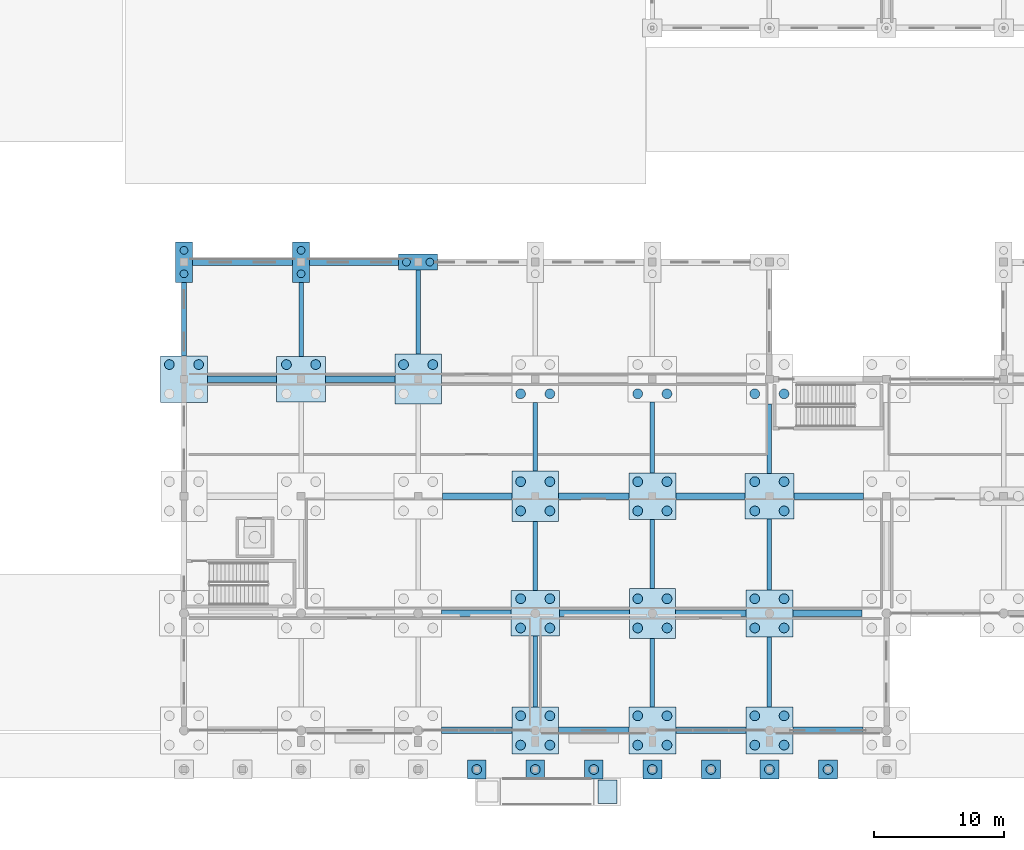
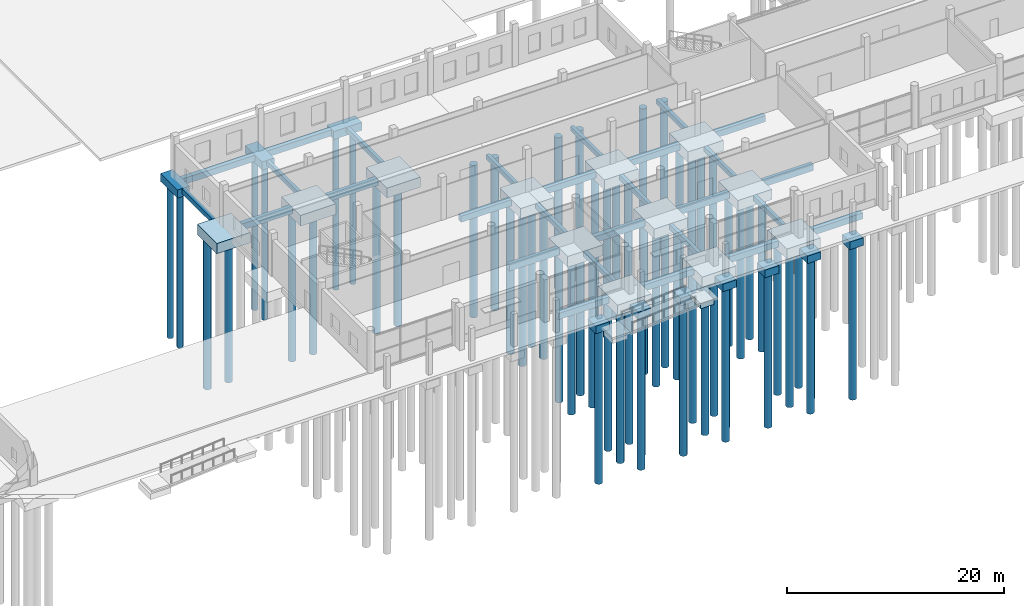
# One storey, part 11 of 112: 61 piles, 51 footings.
"""IFC4 building model written with IfcOpenShell, lengths in metres."""

from ifc_helpers import new_model, si_unit, direction, frame, origin, origin_2d, place, context, subcontext, project, spatial, polyline, rectangle, circle, outline, extrude, material, material_profile, profile_set, type_object, element, save


model = new_model("IFC4")

# Units and contexts
model_context = context("Model", 3, precision=1e-05, world=origin(), true_north=direction((0.0, 1.0)))
body_context = subcontext(model_context, "Body", "Model", "MODEL_VIEW")
ifc_project = project(units=[si_unit("LENGTHUNIT", "METRE"), si_unit("AREAUNIT", "SQUARE_METRE"), si_unit("VOLUMEUNIT", "CUBIC_METRE"), si_unit("PLANEANGLEUNIT", "RADIAN"), si_unit("MASSUNIT", "GRAM", prefix="KILO")], contexts=[model_context])

# Site, building, storey
site_placement = place(None, origin())
site = spatial("IfcSite", under=ifc_project, at=site_placement, CompositionType="ELEMENT")
building_placement = place(site_placement, origin())
building = spatial("IfcBuilding", under=site, at=building_placement, Name="Tharagai Park Tramway Depot", CompositionType="ELEMENT")
storey_placement = place(building_placement, origin())
storey = spatial("IfcBuildingStorey", under=building, at=storey_placement, Name="L00", CompositionType="ELEMENT", Elevation=0.0)

# Piles
ifc_material = material(Name="Concrete M40", Category="concrete")
ifc_material_profile_1 = material_profile(ifc_material, circle(Radius=0.375, at=origin_2d()), Name="PILE D750")
ifc_profile_set_1 = profile_set([ifc_material_profile_1], Name="Concrete M40")
pile_type_1 = type_object("IfcPileType", Name="BP-02", PredefinedType="BORED", material=ifc_profile_set_1)
for number, where, z_axis, x_axis, name in (
    (1, (133.875, 28.125, -1.35009765625), (0.0, 0.0, -1.0), (1.0, 0.0, 0.0), "Bored Pile BP-02 (135,27) #3"),
    (2, (136.125, 28.125, -1.35009765625), (0.0, 0.0, -1.0), (1.0, 0.0, 0.0), "Bored Pile BP-02 (135,27) #4"),
):
    element("IfcPile", number, at=place(storey_placement, frame(where, z_axis=z_axis, x_axis=x_axis)), inside=storey, type_object=pile_type_1, Name=name, PredefinedType="BORED", context=body_context, shape_type="SweptSolid", body=[
        extrude(circle(Radius=0.375, at=origin_2d()), origin(), (0.0, 0.0, 1.0), 17.14990234375),
    ])
for number, where, z_axis, x_axis, name in (
    (3, (142.875, 28.125, -1.39990234375), (0.0, 0.0, -1.0), (1.0, 0.0, 0.0), "Bored Pile BP-02 (144,27) #3"),
    (4, (145.125, 28.125, -1.39990234375), (0.0, 0.0, -1.0), (1.0, 0.0, 0.0), "Bored Pile BP-02 (144,27) #4"),
):
    element("IfcPile", number, at=place(storey_placement, frame(where, z_axis=z_axis, x_axis=x_axis)), inside=storey, type_object=pile_type_1, Name=name, PredefinedType="BORED", context=body_context, shape_type="SweptSolid", body=[
        extrude(circle(Radius=0.375, at=origin_2d()), origin(), (0.0, 0.0, 1.0), 17.10009765625),
    ])
for number, where, z_axis, x_axis, name in (
    (5, (151.875, 28.125, -1.320068359375), (0.0, 0.0, -1.0), (1.0, 0.0, 0.0), "Bored Pile BP-02 (153,27) #3"),
    (6, (154.125, 28.125, -1.320068359375), (0.0, 0.0, -1.0), (1.0, 0.0, 0.0), "Bored Pile BP-02 (153,27) #4"),
):
    element("IfcPile", number, at=place(storey_placement, frame(where, z_axis=z_axis, x_axis=x_axis)), inside=storey, type_object=pile_type_1, Name=name, PredefinedType="BORED", context=body_context, shape_type="SweptSolid", body=[
        extrude(circle(Radius=0.375, at=origin_2d()), origin(), (0.0, 0.0, 1.0), 17.179931640625),
    ])
for number, where, z_axis, x_axis, name in (
    (7, (160.875, -1.125, -1.35009765625), (0.0, 0.0, -1.0), (1.0, 0.0, 0.0), "Bored Pile BP-02 (162,0) #1"),
    (8, (163.125, -1.125, -1.35009765625), (0.0, 0.0, -1.0), (1.0, 0.0, 0.0), "Bored Pile BP-02 (162,0) #2"),
    (9, (160.875, 1.125, -1.35009765625), (0.0, 0.0, -1.0), (1.0, 0.0, 0.0), "Bored Pile BP-02 (162,0) #3"),
    (10, (163.125, 1.125, -1.35009765625), (0.0, 0.0, -1.0), (1.0, 0.0, 0.0), "Bored Pile BP-02 (162,0) #4"),
):
    element("IfcPile", number, at=place(storey_placement, frame(where, z_axis=z_axis, x_axis=x_axis)), inside=storey, type_object=pile_type_1, Name=name, PredefinedType="BORED", context=body_context, shape_type="SweptSolid", body=[
        extrude(circle(Radius=0.375, at=origin_2d()), origin(), (0.0, 0.0, 1.0), 17.14990234375),
    ])
for number, where, z_axis, x_axis, name in (
    (11, (160.875, 7.875, -1.39990234375), (0.0, 0.0, -1.0), (1.0, 0.0, 0.0), "Bored Pile BP-02 (162,9) #1"),
    (12, (163.125, 7.875, -1.39990234375), (0.0, 0.0, -1.0), (1.0, 0.0, 0.0), "Bored Pile BP-02 (162,9) #2"),
    (13, (160.875, 10.125, -1.39990234375), (0.0, 0.0, -1.0), (1.0, 0.0, 0.0), "Bored Pile BP-02 (162,9) #3"),
    (14, (163.125, 10.125, -1.39990234375), (0.0, 0.0, -1.0), (1.0, 0.0, 0.0), "Bored Pile BP-02 (162,9) #4"),
):
    element("IfcPile", number, at=place(storey_placement, frame(where, z_axis=z_axis, x_axis=x_axis)), inside=storey, type_object=pile_type_1, Name=name, PredefinedType="BORED", context=body_context, shape_type="SweptSolid", body=[
        extrude(circle(Radius=0.375, at=origin_2d()), origin(), (0.0, 0.0, 1.0), 17.10009765625),
    ])
for number, where, z_axis, x_axis, name in (
    (15, (160.875, 16.875, -1.320068359375), (0.0, 0.0, -1.0), (1.0, 0.0, 0.0), "Bored Pile BP-02 (162,18) #1"),
    (16, (163.125, 16.875, -1.320068359375), (0.0, 0.0, -1.0), (1.0, 0.0, 0.0), "Bored Pile BP-02 (162,18) #2"),
    (17, (160.875, 19.125, -1.320068359375), (0.0, 0.0, -1.0), (1.0, 0.0, 0.0), "Bored Pile BP-02 (162,18) #3"),
    (18, (163.125, 19.125, -1.320068359375), (0.0, 0.0, -1.0), (1.0, 0.0, 0.0), "Bored Pile BP-02 (162,18) #4"),
):
    element("IfcPile", number, at=place(storey_placement, frame(where, z_axis=z_axis, x_axis=x_axis)), inside=storey, type_object=pile_type_1, Name=name, PredefinedType="BORED", context=body_context, shape_type="SweptSolid", body=[
        extrude(circle(Radius=0.375, at=origin_2d()), origin(), (0.0, 0.0, 1.0), 17.179931640625),
    ])
for number, where, z_axis, x_axis, name in (
    (19, (160.875, 25.875, -1.35009765625), (0.0, 0.0, -1.0), (1.0, 0.0, 0.0), "Bored Pile BP-02 (162,27) #1"),
    (20, (163.125, 25.875, -1.35009765625), (0.0, 0.0, -1.0), (1.0, 0.0, 0.0), "Bored Pile BP-02 (162,27) #2"),
    (21, (169.875, -1.125, -1.35009765625), (0.0, 0.0, -1.0), (1.0, 0.0, 0.0), "Bored Pile BP-02 (171,0) #1"),
    (22, (172.125, -1.125, -1.35009765625), (0.0, 0.0, -1.0), (1.0, 0.0, 0.0), "Bored Pile BP-02 (171,0) #2"),
    (23, (169.875, 1.125, -1.35009765625), (0.0, 0.0, -1.0), (1.0, 0.0, 0.0), "Bored Pile BP-02 (171,0) #3"),
    (24, (172.125, 1.125, -1.35009765625), (0.0, 0.0, -1.0), (1.0, 0.0, 0.0), "Bored Pile BP-02 (171,0) #4"),
):
    element("IfcPile", number, at=place(storey_placement, frame(where, z_axis=z_axis, x_axis=x_axis)), inside=storey, type_object=pile_type_1, Name=name, PredefinedType="BORED", context=body_context, shape_type="SweptSolid", body=[
        extrude(circle(Radius=0.375, at=origin_2d()), origin(), (0.0, 0.0, 1.0), 17.14990234375),
    ])
for number, where, z_axis, x_axis, name in (
    (25, (169.875, 7.875, -1.320068359375), (0.0, 0.0, -1.0), (1.0, 0.0, 0.0), "Bored Pile BP-02 (171,9) #1"),
    (26, (172.125, 7.875, -1.320068359375), (0.0, 0.0, -1.0), (1.0, 0.0, 0.0), "Bored Pile BP-02 (171,9) #2"),
    (27, (169.875, 10.125, -1.320068359375), (0.0, 0.0, -1.0), (1.0, 0.0, 0.0), "Bored Pile BP-02 (171,9) #3"),
    (28, (172.125, 10.125, -1.320068359375), (0.0, 0.0, -1.0), (1.0, 0.0, 0.0), "Bored Pile BP-02 (171,9) #4"),
):
    element("IfcPile", number, at=place(storey_placement, frame(where, z_axis=z_axis, x_axis=x_axis)), inside=storey, type_object=pile_type_1, Name=name, PredefinedType="BORED", context=body_context, shape_type="SweptSolid", body=[
        extrude(circle(Radius=0.375, at=origin_2d()), origin(), (0.0, 0.0, 1.0), 17.179931640625),
    ])
for number, where, z_axis, x_axis, name in (
    (29, (169.875, 16.875, -1.35009765625), (0.0, 0.0, -1.0), (1.0, 0.0, 0.0), "Bored Pile BP-02 (171,18) #1"),
    (30, (172.125, 16.875, -1.35009765625), (0.0, 0.0, -1.0), (1.0, 0.0, 0.0), "Bored Pile BP-02 (171,18) #2"),
    (31, (169.875, 19.125, -1.35009765625), (0.0, 0.0, -1.0), (1.0, 0.0, 0.0), "Bored Pile BP-02 (171,18) #3"),
    (32, (172.125, 19.125, -1.35009765625), (0.0, 0.0, -1.0), (1.0, 0.0, 0.0), "Bored Pile BP-02 (171,18) #4"),
):
    element("IfcPile", number, at=place(storey_placement, frame(where, z_axis=z_axis, x_axis=x_axis)), inside=storey, type_object=pile_type_1, Name=name, PredefinedType="BORED", context=body_context, shape_type="SweptSolid", body=[
        extrude(circle(Radius=0.375, at=origin_2d()), origin(), (0.0, 0.0, 1.0), 17.14990234375),
    ])
for number, where, z_axis, x_axis, name in (
    (33, (169.875, 25.875, -1.39990234375), (0.0, 0.0, -1.0), (1.0, 0.0, 0.0), "Bored Pile BP-02 (171,27) #1"),
    (34, (172.125, 25.875, -1.39990234375), (0.0, 0.0, -1.0), (1.0, 0.0, 0.0), "Bored Pile BP-02 (171,27) #2"),
):
    element("IfcPile", number, at=place(storey_placement, frame(where, z_axis=z_axis, x_axis=x_axis)), inside=storey, type_object=pile_type_1, Name=name, PredefinedType="BORED", context=body_context, shape_type="SweptSolid", body=[
        extrude(circle(Radius=0.375, at=origin_2d()), origin(), (0.0, 0.0, 1.0), 17.10009765625),
    ])
for number, where, z_axis, x_axis, name in (
    (35, (178.875, -1.125, -1.35009765625), (0.0, 0.0, -1.0), (1.0, 0.0, 0.0), "Bored Pile BP-02 (180,0) #1"),
    (36, (181.125, -1.125, -1.35009765625), (0.0, 0.0, -1.0), (1.0, 0.0, 0.0), "Bored Pile BP-02 (180,0) #2"),
    (37, (178.875, 1.125, -1.35009765625), (0.0, 0.0, -1.0), (1.0, 0.0, 0.0), "Bored Pile BP-02 (180,0) #3"),
    (38, (181.125, 1.125, -1.35009765625), (0.0, 0.0, -1.0), (1.0, 0.0, 0.0), "Bored Pile BP-02 (180,0) #4"),
    (39, (178.875, 7.875, -1.35009765625), (0.0, 0.0, -1.0), (1.0, 0.0, 0.0), "Bored Pile BP-02 (180,9) #1"),
    (40, (181.125, 7.875, -1.35009765625), (0.0, 0.0, -1.0), (1.0, 0.0, 0.0), "Bored Pile BP-02 (180,9) #2"),
    (41, (178.875, 10.125, -1.35009765625), (0.0, 0.0, -1.0), (1.0, 0.0, 0.0), "Bored Pile BP-02 (180,9) #3"),
    (42, (181.125, 10.125, -1.35009765625), (0.0, 0.0, -1.0), (1.0, 0.0, 0.0), "Bored Pile BP-02 (180,9) #4"),
):
    element("IfcPile", number, at=place(storey_placement, frame(where, z_axis=z_axis, x_axis=x_axis)), inside=storey, type_object=pile_type_1, Name=name, PredefinedType="BORED", context=body_context, shape_type="SweptSolid", body=[
        extrude(circle(Radius=0.375, at=origin_2d()), origin(), (0.0, 0.0, 1.0), 17.14990234375),
    ])
for number, where, z_axis, x_axis, name in (
    (43, (178.875, 16.875, -1.39990234375), (0.0, 0.0, -1.0), (1.0, 0.0, 0.0), "Bored Pile BP-02 (180,18) #1"),
    (44, (181.125, 16.875, -1.39990234375), (0.0, 0.0, -1.0), (1.0, 0.0, 0.0), "Bored Pile BP-02 (180,18) #2"),
    (45, (178.875, 19.125, -1.39990234375), (0.0, 0.0, -1.0), (1.0, 0.0, 0.0), "Bored Pile BP-02 (180,18) #3"),
    (46, (181.125, 19.125, -1.39990234375), (0.0, 0.0, -1.0), (1.0, 0.0, 0.0), "Bored Pile BP-02 (180,18) #4"),
):
    element("IfcPile", number, at=place(storey_placement, frame(where, z_axis=z_axis, x_axis=x_axis)), inside=storey, type_object=pile_type_1, Name=name, PredefinedType="BORED", context=body_context, shape_type="SweptSolid", body=[
        extrude(circle(Radius=0.375, at=origin_2d()), origin(), (0.0, 0.0, 1.0), 17.10009765625),
    ])
for number, where, z_axis, x_axis, name in (
    (47, (178.875, 25.875, -1.320068359375), (0.0, 0.0, -1.0), (1.0, 0.0, 0.0), "Bored Pile BP-02 (180,27) #1"),
    (48, (181.125, 25.875, -1.320068359375), (0.0, 0.0, -1.0), (1.0, 0.0, 0.0), "Bored Pile BP-02 (180,27) #2"),
):
    element("IfcPile", number, at=place(storey_placement, frame(where, z_axis=z_axis, x_axis=x_axis)), inside=storey, type_object=pile_type_1, Name=name, PredefinedType="BORED", context=body_context, shape_type="SweptSolid", body=[
        extrude(circle(Radius=0.375, at=origin_2d()), origin(), (0.0, 0.0, 1.0), 17.179931640625),
    ])
for number, where, z_axis, x_axis, name in (
    (49, (157.5, -3.0, -1.06005859375), (0.0, 0.0, -1.0), (1.0, 0.0, 0.0), "Park Cloister Pier Bored Pile BP-02"),
    (50, (162.0, -3.0, -1.06005859375), (0.0, 0.0, -1.0), (1.0, 0.0, 0.0), "Park Cloister Pier Bored Pile BP-02"),
    (51, (166.5, -3.0, -1.06005859375), (0.0, 0.0, -1.0), (1.0, 0.0, 0.0), "Park Cloister Pier Bored Pile BP-02"),
    (52, (171.0, -3.0, -1.06005859375), (0.0, 0.0, -1.0), (1.0, 0.0, 0.0), "Park Cloister Pier Bored Pile BP-02"),
    (53, (175.5, -3.0, -1.06005859375), (0.0, 0.0, -1.0), (1.0, 0.0, 0.0), "Park Cloister Pier Bored Pile BP-02"),
    (54, (180.0, -3.0, -1.06005859375), (0.0, 0.0, -1.0), (1.0, 0.0, 0.0), "Park Cloister Pier Bored Pile BP-02"),
    (55, (184.5, -3.0, -1.06005859375), (0.0, 0.0, -1.0), (1.0, 0.0, 0.0), "Park Cloister Pier Bored Pile BP-02"),
):
    element("IfcPile", number, at=place(storey_placement, frame(where, z_axis=z_axis, x_axis=x_axis)), inside=storey, type_object=pile_type_1, Name=name, PredefinedType="BORED", context=body_context, shape_type="SweptSolid", body=[
        extrude(circle(Radius=0.375, at=origin_2d()), origin(), (0.0, 0.0, 1.0), 17.43994140625),
    ])
ifc_material_profile_2 = material_profile(ifc_material, circle(Radius=0.300048828125, at=origin_2d()), Name="PILE D600")
ifc_profile_set_2 = profile_set([ifc_material_profile_2], Name="Concrete M40")
pile_type_2 = type_object("IfcPileType", Name="BP-03", PredefinedType="BORED", material=ifc_profile_set_2)
for number, where, z_axis, x_axis, name in (
    (56, (135.0, 35.10009765625, -1.1201171875), (0.0, 0.0, -1.0), (1.0, 0.0, 0.0), "Bored Pile BP-03 (135,36) #1"),
    (57, (135.0, 36.89990234375, -1.1201171875), (0.0, 0.0, -1.0), (1.0, 0.0, 0.0), "Bored Pile BP-03 (135,36) #2"),
    (58, (144.0, 35.10009765625, -1.1201171875), (0.0, 0.0, -1.0), (1.0, 0.0, 0.0), "Bored Pile BP-03 (144,36) #1"),
    (59, (144.0, 36.89990234375, -1.1201171875), (0.0, 0.0, -1.0), (1.0, 0.0, 0.0), "Bored Pile BP-03 (144,36) #2"),
):
    element("IfcPile", number, at=place(storey_placement, frame(where, z_axis=z_axis, x_axis=x_axis)), inside=storey, type_object=pile_type_2, Name=name, PredefinedType="BORED", context=body_context, shape_type="SweptSolid", body=[
        extrude(circle(Radius=0.300048828125, at=origin_2d()), origin(), (0.0, 0.0, 1.0), 17.3798828125),
    ])
for number, where, z_axis, x_axis, name in (
    (60, (152.10009765625, 36.0, -1.10009765625), (0.0, 0.0, -1.0), (1.0, 0.0, 0.0), "Bored Pile BP-03 (153,36) #1"),
    (61, (153.89990234375, 36.0, -1.10009765625), (0.0, 0.0, -1.0), (1.0, 0.0, 0.0), "Bored Pile BP-03 (153,36) #2"),
):
    element("IfcPile", number, at=place(storey_placement, frame(where, z_axis=z_axis, x_axis=x_axis)), inside=storey, type_object=pile_type_2, Name=name, PredefinedType="BORED", context=body_context, shape_type="SweptSolid", body=[
        extrude(circle(Radius=0.300048828125, at=origin_2d()), origin(), (0.0, 0.0, 1.0), 17.39990234375),
    ])

# Footings
footing_type_1 = type_object("IfcFootingType", Name="GB-02", PredefinedType="FOOTING_BEAM", material=ifc_material)
footing_1_placement = place(storey_placement, frame((0.0, 0.0, -1.0)))
element("IfcFooting", 62, at=footing_1_placement, inside=storey, type_object=footing_type_1, Name="Ground Tie Beam GB-02", PredefinedType="FOOTING_BEAM", context=body_context, shape_type="SweptSolid", body=[
    extrude(outline(polyline([(154.800048828125, -0.25), (160.199951171875, -0.25), (160.199951171875, 0.25), (154.800048828125, 0.25), (154.800048828125, -0.25)])), origin(), (0.0, 0.0, 1.0), 0.699951171875),
])
footing_2_placement = place(storey_placement, frame((0.0, 0.0, -1.0)))
element("IfcFooting", 63, at=footing_2_placement, inside=storey, type_object=footing_type_1, Name="Ground Tie Beam GB-02", PredefinedType="FOOTING_BEAM", context=body_context, shape_type="SweptSolid", body=[
    extrude(outline(polyline([(163.800048828125, -0.25), (169.199951171875, -0.25), (169.199951171875, 0.25), (163.800048828125, 0.25), (163.800048828125, -0.25)])), origin(), (0.0, 0.0, 1.0), 0.699951171875),
])
footing_3_placement = place(storey_placement, frame((0.0, 0.0, -1.0)))
element("IfcFooting", 64, at=footing_3_placement, inside=storey, type_object=footing_type_1, Name="Ground Tie Beam GB-02", PredefinedType="FOOTING_BEAM", context=body_context, shape_type="SweptSolid", body=[
    extrude(outline(polyline([(172.800048828125, -0.25), (178.199951171875, -0.25), (178.199951171875, 0.25), (172.800048828125, 0.25), (172.800048828125, -0.25)])), origin(), (0.0, 0.0, 1.0), 0.699951171875),
])
footing_4_placement = place(storey_placement, frame((0.0, 0.0, -1.0)))
element("IfcFooting", 65, at=footing_4_placement, inside=storey, type_object=footing_type_1, Name="Ground Tie Beam GB-02", PredefinedType="FOOTING_BEAM", context=body_context, shape_type="SweptSolid", body=[
    extrude(outline(polyline([(181.800048828125, -0.25), (187.199951171875, -0.25), (187.199951171875, 0.25), (181.800048828125, 0.25), (181.800048828125, -0.25)])), origin(), (0.0, 0.0, 1.0), 0.699951171875),
])
footing_5_placement = place(storey_placement, frame((0.0, 0.0, -1.0)))
element("IfcFooting", 66, at=footing_5_placement, inside=storey, type_object=footing_type_1, Name="Ground Tie Beam GB-02", PredefinedType="FOOTING_BEAM", context=body_context, shape_type="SweptSolid", body=[
    extrude(outline(polyline([(154.800048828125, 8.75), (160.125, 8.75), (160.125, 9.25), (154.800048828125, 9.25), (154.800048828125, 8.75)])), origin(), (0.0, 0.0, 1.0), 0.699951171875),
])
footing_6_placement = place(storey_placement, frame((0.0, 0.0, -1.0)))
element("IfcFooting", 67, at=footing_6_placement, inside=storey, type_object=footing_type_1, Name="Ground Tie Beam GB-02", PredefinedType="FOOTING_BEAM", context=body_context, shape_type="SweptSolid", body=[
    extrude(outline(polyline([(163.875, 8.75), (169.22509765625, 8.75), (169.22509765625, 9.25), (163.875, 9.25), (163.875, 8.75)])), origin(), (0.0, 0.0, 1.0), 0.699951171875),
])
footing_7_placement = place(storey_placement, frame((0.0, 0.0, -1.0)))
element("IfcFooting", 68, at=footing_7_placement, inside=storey, type_object=footing_type_1, Name="Ground Tie Beam GB-02", PredefinedType="FOOTING_BEAM", context=body_context, shape_type="SweptSolid", body=[
    extrude(outline(polyline([(172.77490234375, 8.75), (178.199951171875, 8.75), (178.199951171875, 9.25), (172.77490234375, 9.25), (172.77490234375, 8.75)])), origin(), (0.0, 0.0, 1.0), 0.699951171875),
])
footing_8_placement = place(storey_placement, frame((0.0, 0.0, -1.0)))
element("IfcFooting", 69, at=footing_8_placement, inside=storey, type_object=footing_type_1, Name="Ground Tie Beam GB-02", PredefinedType="FOOTING_BEAM", context=body_context, shape_type="SweptSolid", body=[
    extrude(outline(polyline([(181.800048828125, 8.75), (187.125, 8.75), (187.125, 9.25), (181.800048828125, 9.25), (181.800048828125, 8.75)])), origin(), (0.0, 0.0, 1.0), 0.699951171875),
])
footing_9_placement = place(storey_placement, frame((0.0, 0.0, -1.0)))
element("IfcFooting", 70, at=footing_9_placement, inside=storey, type_object=footing_type_1, Name="Ground Tie Beam GB-02", PredefinedType="FOOTING_BEAM", context=body_context, shape_type="SweptSolid", body=[
    extrude(outline(polyline([(154.875, 17.75), (160.22509765625, 17.75), (160.22509765625, 18.25), (154.875, 18.25), (154.875, 17.75)])), origin(), (0.0, 0.0, 1.0), 0.699951171875),
])
footing_10_placement = place(storey_placement, frame((0.0, 0.0, -1.0)))
element("IfcFooting", 71, at=footing_10_placement, inside=storey, type_object=footing_type_1, Name="Ground Tie Beam GB-02", PredefinedType="FOOTING_BEAM", context=body_context, shape_type="SweptSolid", body=[
    extrude(outline(polyline([(163.77490234375, 17.75), (169.199951171875, 17.75), (169.199951171875, 18.25), (163.77490234375, 18.25), (163.77490234375, 17.75)])), origin(), (0.0, 0.0, 1.0), 0.699951171875),
])
footing_11_placement = place(storey_placement, frame((0.0, 0.0, -1.0)))
element("IfcFooting", 72, at=footing_11_placement, inside=storey, type_object=footing_type_1, Name="Ground Tie Beam GB-02", PredefinedType="FOOTING_BEAM", context=body_context, shape_type="SweptSolid", body=[
    extrude(outline(polyline([(172.800048828125, 17.75), (178.125, 17.75), (178.125, 18.25), (172.800048828125, 18.25), (172.800048828125, 17.75)])), origin(), (0.0, 0.0, 1.0), 0.699951171875),
])
footing_12_placement = place(storey_placement, frame((0.0, 0.0, -1.0)))
element("IfcFooting", 73, at=footing_12_placement, inside=storey, type_object=footing_type_1, Name="Ground Tie Beam GB-02", PredefinedType="FOOTING_BEAM", context=body_context, shape_type="SweptSolid", body=[
    extrude(outline(polyline([(181.875, 17.75), (187.22509765625, 17.75), (187.22509765625, 18.25), (181.875, 18.25), (181.875, 17.75)])), origin(), (0.0, 0.0, 1.0), 0.699951171875),
])
footing_13_placement = place(storey_placement, frame((0.0, 0.0, -1.0)))
element("IfcFooting", 74, at=footing_13_placement, inside=storey, type_object=footing_type_1, Name="Ground Tie Beam GB-02", PredefinedType="FOOTING_BEAM", context=body_context, shape_type="SweptSolid", body=[
    extrude(outline(polyline([(136.800048828125, 26.75), (142.125, 26.75), (142.125, 27.25), (136.800048828125, 27.25), (136.800048828125, 26.75)])), origin(), (0.0, 0.0, 1.0), 0.699951171875),
])
footing_14_placement = place(storey_placement, frame((0.0, 0.0, -1.0)))
element("IfcFooting", 75, at=footing_14_placement, inside=storey, type_object=footing_type_1, Name="Ground Tie Beam GB-02", PredefinedType="FOOTING_BEAM", context=body_context, shape_type="SweptSolid", body=[
    extrude(outline(polyline([(145.875, 26.75), (151.22509765625, 26.75), (151.22509765625, 27.25), (145.875, 27.25), (145.875, 26.75)])), origin(), (0.0, 0.0, 1.0), 0.699951171875),
])
footing_15_placement = place(storey_placement, frame((0.0, 0.0, -1.0)))
element("IfcFooting", 76, at=footing_15_placement, inside=storey, type_object=footing_type_1, Name="Ground Tie Beam GB-02", PredefinedType="FOOTING_BEAM", context=body_context, shape_type="SweptSolid", body=[
    extrude(outline(polyline([(135.64990234375, 35.75), (143.35009765625, 35.75), (143.35009765625, 36.25), (135.64990234375, 36.25), (135.64990234375, 35.75)])), origin(), (0.0, 0.0, 1.0), 0.699951171875),
])
footing_16_placement = place(storey_placement, frame((0.0, 0.0, -1.0)))
element("IfcFooting", 77, at=footing_16_placement, inside=storey, type_object=footing_type_1, Name="Ground Tie Beam GB-02", PredefinedType="FOOTING_BEAM", context=body_context, shape_type="SweptSolid", body=[
    extrude(outline(polyline([(144.64990234375, 35.75), (151.5, 35.75), (151.5, 36.25), (144.64990234375, 36.25), (144.64990234375, 35.75)])), origin(), (0.0, 0.0, 1.0), 0.699951171875),
])
footing_type_2 = type_object("IfcFootingType", Name="GB-03", PredefinedType="FOOTING_BEAM", material=ifc_material)
footing_17_placement = place(storey_placement, frame((0.0, 0.0, -0.85009765625)))
element("IfcFooting", 78, at=footing_17_placement, inside=storey, type_object=footing_type_2, Name="Ground Tie Beam GB-03", PredefinedType="FOOTING_BEAM", context=body_context, shape_type="SweptSolid", body=[
    extrude(outline(polyline([(134.824951171875, 28.800048828125), (135.175048828125, 28.800048828125), (135.175048828125, 34.449951171875), (134.824951171875, 34.449951171875), (134.824951171875, 28.800048828125)])), origin(), (0.0, 0.0, 1.0), 0.550048828125),
])
footing_18_placement = place(storey_placement, frame((0.0, 0.0, -0.85009765625)))
element("IfcFooting", 79, at=footing_18_placement, inside=storey, type_object=footing_type_2, Name="Ground Tie Beam GB-03", PredefinedType="FOOTING_BEAM", context=body_context, shape_type="SweptSolid", body=[
    extrude(outline(polyline([(143.824951171875, 28.75), (144.175048828125, 28.75), (144.175048828125, 34.449951171875), (143.824951171875, 34.449951171875), (143.824951171875, 28.75)])), origin(), (0.0, 0.0, 1.0), 0.550048828125),
])
footing_19_placement = place(storey_placement, frame((0.0, 0.0, -0.85009765625)))
element("IfcFooting", 80, at=footing_19_placement, inside=storey, type_object=footing_type_2, Name="Ground Tie Beam GB-03", PredefinedType="FOOTING_BEAM", context=body_context, shape_type="SweptSolid", body=[
    extrude(outline(polyline([(152.824951171875, 28.925048828125), (153.175048828125, 28.925048828125), (153.175048828125, 35.375), (152.824951171875, 35.375), (152.824951171875, 28.925048828125)])), origin(), (0.0, 0.0, 1.0), 0.550048828125),
])
footing_20_placement = place(storey_placement, frame((0.0, 0.0, -0.85009765625)))
element("IfcFooting", 81, at=footing_20_placement, inside=storey, type_object=footing_type_2, Name="Ground Tie Beam GB-03", PredefinedType="FOOTING_BEAM", context=body_context, shape_type="SweptSolid", body=[
    extrude(outline(polyline([(161.824951171875, 1.800048828125), (162.175048828125, 1.800048828125), (162.175048828125, 7.25), (161.824951171875, 7.25), (161.824951171875, 1.800048828125)])), origin(), (0.0, 0.0, 1.0), 0.550048828125),
])
footing_21_placement = place(storey_placement, frame((0.0, 0.0, -0.85009765625)))
element("IfcFooting", 82, at=footing_21_placement, inside=storey, type_object=footing_type_2, Name="Ground Tie Beam GB-03", PredefinedType="FOOTING_BEAM", context=body_context, shape_type="SweptSolid", body=[
    extrude(outline(polyline([(161.824951171875, 10.75), (162.175048828125, 10.75), (162.175048828125, 16.074951171875), (161.824951171875, 16.074951171875), (161.824951171875, 10.75)])), origin(), (0.0, 0.0, 1.0), 0.550048828125),
])
footing_22_placement = place(storey_placement, frame((0.0, 0.0, -0.85009765625)))
element("IfcFooting", 83, at=footing_22_placement, inside=storey, type_object=footing_type_2, Name="Ground Tie Beam GB-03", PredefinedType="FOOTING_BEAM", context=body_context, shape_type="SweptSolid", body=[
    extrude(outline(polyline([(161.824951171875, 19.925048828125), (162.175048828125, 19.925048828125), (162.175048828125, 25.199951171875), (161.824951171875, 25.199951171875), (161.824951171875, 19.925048828125)])), origin(), (0.0, 0.0, 1.0), 0.550048828125),
])
footing_23_placement = place(storey_placement, frame((0.0, 0.0, -0.85009765625)))
element("IfcFooting", 84, at=footing_23_placement, inside=storey, type_object=footing_type_2, Name="Ground Tie Beam GB-03", PredefinedType="FOOTING_BEAM", context=body_context, shape_type="SweptSolid", body=[
    extrude(outline(polyline([(170.824951171875, 1.800048828125), (171.175048828125, 1.800048828125), (171.175048828125, 7.074951171875), (170.824951171875, 7.074951171875), (170.824951171875, 1.800048828125)])), origin(), (0.0, 0.0, 1.0), 0.550048828125),
])
footing_24_placement = place(storey_placement, frame((0.0, 0.0, -0.85009765625)))
element("IfcFooting", 85, at=footing_24_placement, inside=storey, type_object=footing_type_2, Name="Ground Tie Beam GB-03", PredefinedType="FOOTING_BEAM", context=body_context, shape_type="SweptSolid", body=[
    extrude(outline(polyline([(170.824951171875, 10.925048828125), (171.175048828125, 10.925048828125), (171.175048828125, 16.199951171875), (170.824951171875, 16.199951171875), (170.824951171875, 10.925048828125)])), origin(), (0.0, 0.0, 1.0), 0.550048828125),
])
footing_25_placement = place(storey_placement, frame((0.0, 0.0, -0.85009765625)))
element("IfcFooting", 86, at=footing_25_placement, inside=storey, type_object=footing_type_2, Name="Ground Tie Beam GB-03", PredefinedType="FOOTING_BEAM", context=body_context, shape_type="SweptSolid", body=[
    extrude(outline(polyline([(170.824951171875, 19.800048828125), (171.175048828125, 19.800048828125), (171.175048828125, 25.25), (170.824951171875, 25.25), (170.824951171875, 19.800048828125)])), origin(), (0.0, 0.0, 1.0), 0.550048828125),
])
footing_26_placement = place(storey_placement, frame((0.0, 0.0, -0.85009765625)))
element("IfcFooting", 87, at=footing_26_placement, inside=storey, type_object=footing_type_2, Name="Ground Tie Beam GB-03", PredefinedType="FOOTING_BEAM", context=body_context, shape_type="SweptSolid", body=[
    extrude(outline(polyline([(179.824951171875, 1.800048828125), (180.175048828125, 1.800048828125), (180.175048828125, 7.199951171875), (179.824951171875, 7.199951171875), (179.824951171875, 1.800048828125)])), origin(), (0.0, 0.0, 1.0), 0.550048828125),
])
footing_27_placement = place(storey_placement, frame((0.0, 0.0, -0.85009765625)))
element("IfcFooting", 88, at=footing_27_placement, inside=storey, type_object=footing_type_2, Name="Ground Tie Beam GB-03", PredefinedType="FOOTING_BEAM", context=body_context, shape_type="SweptSolid", body=[
    extrude(outline(polyline([(179.824951171875, 10.800048828125), (180.175048828125, 10.800048828125), (180.175048828125, 16.25), (179.824951171875, 16.25), (179.824951171875, 10.800048828125)])), origin(), (0.0, 0.0, 1.0), 0.550048828125),
])
footing_28_placement = place(storey_placement, frame((0.0, 0.0, -0.85009765625)))
element("IfcFooting", 89, at=footing_28_placement, inside=storey, type_object=footing_type_2, Name="Ground Tie Beam GB-03", PredefinedType="FOOTING_BEAM", context=body_context, shape_type="SweptSolid", body=[
    extrude(outline(polyline([(179.824951171875, 19.75), (180.175048828125, 19.75), (180.175048828125, 25.074951171875), (179.824951171875, 25.074951171875), (179.824951171875, 19.75)])), origin(), (0.0, 0.0, 1.0), 0.550048828125),
])
footing_type_3 = type_object("IfcFootingType", Name="PC-03", PredefinedType="PILE_CAP", material=ifc_material)
for number, where, z_axis, x_axis, name in (
    (90, (135.0, 27.0, -1.449951171875), (0.0, 0.0, 1.0), (1.0, 0.0, 0.0), "Pile Cap PC-03 (135,27)"),
    (91, (162.0, 0.0, -1.449951171875), (0.0, 0.0, 1.0), (1.0, 0.0, 0.0), "Pile Cap PC-03 (162,0)"),
    (92, (171.0, 0.0, -1.449951171875), (0.0, 0.0, 1.0), (1.0, 0.0, 0.0), "Pile Cap PC-03 (171,0)"),
    (93, (171.0, 18.0, -1.449951171875), (0.0, 0.0, 1.0), (1.0, 0.0, 0.0), "Pile Cap PC-03 (171,18)"),
    (94, (180.0, 0.0, -1.449951171875), (0.0, 0.0, 1.0), (1.0, 0.0, 0.0), "Pile Cap PC-03 (180,0)"),
    (95, (180.0, 9.0, -1.449951171875), (0.0, 0.0, 1.0), (1.0, 0.0, 0.0), "Pile Cap PC-03 (180,9)"),
):
    element("IfcFooting", number, at=place(storey_placement, frame(where, z_axis=z_axis, x_axis=x_axis)), inside=storey, type_object=footing_type_3, Name=name, PredefinedType="PILE_CAP", context=body_context, shape_type="SweptSolid", body=[
        extrude(rectangle(XDim=3.60009765625, YDim=3.60009765625, at=origin_2d()), origin(), (0.0, 0.0, 1.0), 1.14990234375),
    ])
footing_type_4 = type_object("IfcFootingType", Name="PC-06", PredefinedType="PILE_CAP", material=ifc_material)
footing_29_placement = place(storey_placement, frame((153.0, 36.0, -1.199951171875), z_axis=(0.0, 0.0, 1.0), x_axis=(1.0, 0.0, 0.0)))
element("IfcFooting", 96, at=footing_29_placement, inside=storey, type_object=footing_type_4, Name="Pile Cap PC-06 (153,36)", PredefinedType="PILE_CAP", context=body_context, shape_type="SweptSolid", body=[
    extrude(rectangle(XDim=3.0, YDim=1.25, at=origin_2d()), origin(), (0.0, 0.0, 1.0), 0.89990234375),
])
footing_type_5 = type_object("IfcFootingType", Name="PC-07", PredefinedType="PILE_CAP", material=ifc_material)
for number, where, z_axis, x_axis, name in (
    (97, (144.0, 27.0, -1.5), (0.0, 0.0, 1.0), (1.0, 0.0, 0.0), "Pile Cap PC-07 (144,27)"),
    (98, (162.0, 9.0, -1.5), (0.0, 0.0, 1.0), (1.0, 0.0, 0.0), "Pile Cap PC-07 (162,9)"),
    (99, (180.0, 18.0, -1.5), (0.0, 0.0, 1.0), (1.0, 0.0, 0.0), "Pile Cap PC-07 (180,18)"),
):
    element("IfcFooting", number, at=place(storey_placement, frame(where, z_axis=z_axis, x_axis=x_axis)), inside=storey, type_object=footing_type_5, Name=name, PredefinedType="PILE_CAP", context=body_context, shape_type="SweptSolid", body=[
        extrude(rectangle(XDim=3.75, YDim=3.5, at=origin_2d()), origin(), (0.0, 0.0, 1.0), 1.199951171875),
    ])
footing_type_6 = type_object("IfcFootingType", Name="PC-08", PredefinedType="PILE_CAP", material=ifc_material)
for number, where, z_axis, x_axis, name in (
    (100, (135.0, 36.0, -1.219970703125), (0.0, 0.0, 1.0), (1.0, 0.0, 0.0), "Pile Cap PC-08 (135,36)"),
    (101, (144.0, 36.0, -1.219970703125), (0.0, 0.0, 1.0), (1.0, 0.0, 0.0), "Pile Cap PC-08 (144,36)"),
):
    element("IfcFooting", number, at=place(storey_placement, frame(where, z_axis=z_axis, x_axis=x_axis)), inside=storey, type_object=footing_type_6, Name=name, PredefinedType="PILE_CAP", context=body_context, shape_type="SweptSolid", body=[
        extrude(rectangle(XDim=1.300048828125, YDim=3.10009765625, at=origin_2d()), origin(), (0.0, 0.0, 1.0), 0.919921875),
    ])
footing_type_7 = type_object("IfcFootingType", Name="PC-09", PredefinedType="PILE_CAP", material=ifc_material)
for number, where, z_axis, x_axis, name in (
    (102, (153.0, 27.0, -1.420166015625), (0.0, 0.0, 1.0), (1.0, 0.0, 0.0), "Pile Cap PC-09 (153,27)"),
    (103, (162.0, 18.0, -1.420166015625), (0.0, 0.0, 1.0), (1.0, 0.0, 0.0), "Pile Cap PC-09 (162,18)"),
    (104, (171.0, 9.0, -1.420166015625), (0.0, 0.0, 1.0), (1.0, 0.0, 0.0), "Pile Cap PC-09 (171,9)"),
):
    element("IfcFooting", number, at=place(storey_placement, frame(where, z_axis=z_axis, x_axis=x_axis)), inside=storey, type_object=footing_type_7, Name=name, PredefinedType="PILE_CAP", context=body_context, shape_type="SweptSolid", body=[
        extrude(rectangle(XDim=3.550048828125, YDim=3.85009765625, at=origin_2d()), origin(), (0.0, 0.0, 1.0), 1.1201171875),
    ])
footing_type_8 = type_object("IfcFootingType", Name="PC-10", PredefinedType="PILE_CAP", material=ifc_material)
for number, where, z_axis, x_axis, name in (
    (105, (157.5, -3.0, -1.16015625), (0.0, 0.0, 1.0), (1.0, 0.0, 0.0), "Park Cloister Pier Pile Cap PC-10"),
    (106, (162.0, -3.0, -1.16015625), (0.0, 0.0, 1.0), (1.0, 0.0, 0.0), "Park Cloister Pier Pile Cap PC-10"),
    (107, (166.5, -3.0, -1.16015625), (0.0, 0.0, 1.0), (1.0, 0.0, 0.0), "Park Cloister Pier Pile Cap PC-10"),
    (108, (171.0, -3.0, -1.16015625), (0.0, 0.0, 1.0), (1.0, 0.0, 0.0), "Park Cloister Pier Pile Cap PC-10"),
    (109, (175.5, -3.0, -1.16015625), (0.0, 0.0, 1.0), (1.0, 0.0, 0.0), "Park Cloister Pier Pile Cap PC-10"),
    (110, (180.0, -3.0, -1.16015625), (0.0, 0.0, 1.0), (1.0, 0.0, 0.0), "Park Cloister Pier Pile Cap PC-10"),
    (111, (184.5, -3.0, -1.16015625), (0.0, 0.0, 1.0), (1.0, 0.0, 0.0), "Park Cloister Pier Pile Cap PC-10"),
):
    element("IfcFooting", number, at=place(storey_placement, frame(where, z_axis=z_axis, x_axis=x_axis)), inside=storey, type_object=footing_type_8, Name=name, PredefinedType="PILE_CAP", context=body_context, shape_type="SweptSolid", body=[
        extrude(rectangle(XDim=1.449951171875, YDim=1.449951171875, at=origin_2d()), origin(), (0.0, 0.0, 1.0), 0.85009765625),
    ])
footing_type_9 = type_object("IfcFootingType", Name="PF-06", PredefinedType="PAD_FOOTING", material=ifc_material)
footing_30_placement = place(storey_placement, frame((167.56005859375, -4.699951171875, -0.72998046875), z_axis=(0.0, 0.0, 1.0), x_axis=(1.0, 0.0, 0.0)))
element("IfcFooting", 112, at=footing_30_placement, inside=storey, type_object=footing_type_9, Name="Ramp Pad Footing PF-06", PredefinedType="PAD_FOOTING", context=body_context, shape_type="SweptSolid", body=[
    extrude(rectangle(XDim=1.449951171875, YDim=1.800048828125, at=origin_2d()), origin(), (0.0, 0.0, 1.0), 0.5400390625),
])

save(model, "model.ifc")
